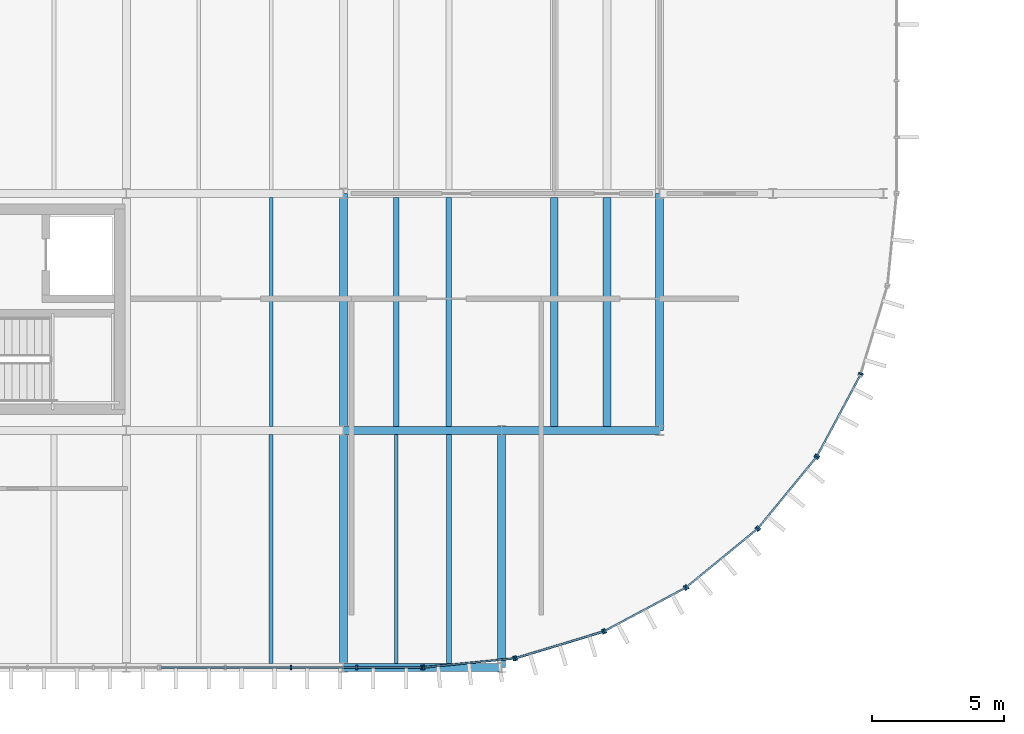
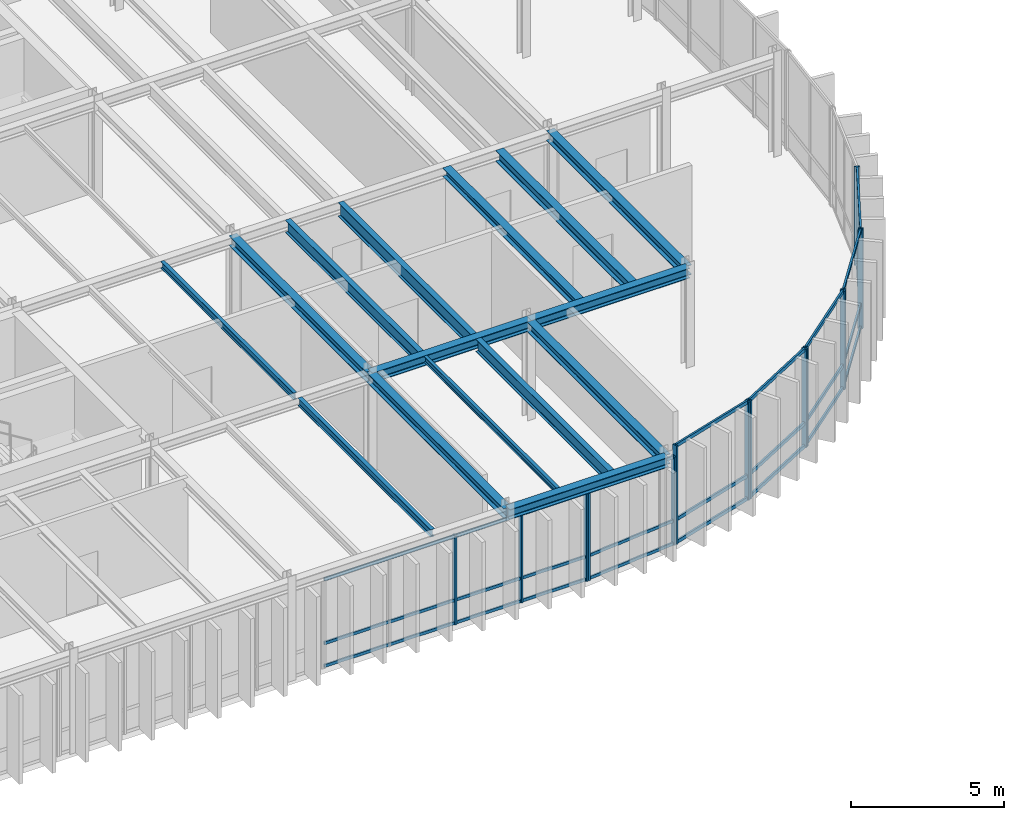
# One storey, part 12 of 31: 36 members, 15 beams, 8 elements without a shape of their own.
"""IFC4 building model written with IfcOpenShell, lengths in metres."""

from ifc_helpers import new_model, si_unit, direction, frame, origin, origin_2d, place, context, subcontext, project, spatial, rectangle, i_section, extrude, material, layer, layer_set, material_profile, profile_set, type_object, element, aggregate, save


model = new_model("IFC4")

# Units and contexts
model_context = context("Model", 3, precision=1e-05, world=origin(), true_north=direction((0.0, 1.0)))
body_context = subcontext(model_context, "Body", "Model", "MODEL_VIEW")
ifc_project = project(units=[si_unit("LENGTHUNIT", "METRE"), si_unit("AREAUNIT", "SQUARE_METRE"), si_unit("VOLUMEUNIT", "CUBIC_METRE"), si_unit("PLANEANGLEUNIT", "RADIAN"), si_unit("MASSUNIT", "GRAM", prefix="KILO")], contexts=[model_context])

# Site, building, storey
site_placement = place(None, origin())
site = spatial("IfcSite", under=ifc_project, at=site_placement, CompositionType="ELEMENT")
building_placement = place(site_placement, origin())
building = spatial("IfcBuilding", under=site, at=building_placement, Name="Montealbar Specialist Clinic", CompositionType="ELEMENT")
storey_placement = place(building_placement, frame((0.0, 0.0, 13.800048828125)))
storey = spatial("IfcBuildingStorey", under=building, at=storey_placement, Name="L03", CompositionType="ELEMENT", Elevation=13.800048828125)

# Beams
ifc_material_1 = material(Name="Steel S355", Category="steel")
ifc_material_profile_1 = material_profile(ifc_material_1, i_section(OverallWidth=0.300048828125, OverallDepth=0.39990234375, WebThickness=0.013427734375, FlangeThickness=0.02392578125, FilletRadius=0.027099609375, at=origin_2d()), Name="HEB 400", Category="steel")
ifc_profile_set_1 = profile_set([ifc_material_profile_1], Name="Steel S355")
beam_type_1 = type_object("IfcBeamType", Name="BM-GIRD-HEB400", PredefinedType="BEAM", material=ifc_profile_set_1)
for number, where, z_axis, x_axis, name in (
    (1, (99.0, 9.0, 3.739990234375), (1.0, 0.0, 0.0), (0.0, 1.0, 0.0), "Beam GX-L03-990-1050-90"),
    (2, (105.0, 9.0, 3.739990234375), (1.0, 0.0, 0.0), (0.0, 1.0, 0.0), "Beam GX-L03-1050-1110-90"),
):
    element("IfcBeam", number, at=place(storey_placement, frame(where, z_axis=z_axis, x_axis=x_axis)), inside=storey, type_object=beam_type_1, Name=name, PredefinedType="BEAM", context=body_context, shape_type="SweptSolid", body=[
        extrude(i_section(OverallWidth=0.300048828125, OverallDepth=0.39990234375, WebThickness=0.013427734375, FlangeThickness=0.02392578125, FilletRadius=0.027099609375, at=origin_2d()), origin(), (0.0, 0.0, 1.0), 6.0),
    ])
for number, where, z_axis, x_axis, name in (
    (3, (99.0, 0.0, 3.739990234375), (0.0, 1.0, 0.0), (-1.0, 0.0, 0.0), "Beam GY-L03-990-0-90"),
    (4, (99.0, 9.0, 3.739990234375), (0.0, 1.0, 0.0), (-1.0, 0.0, 0.0), "Beam GY-L03-990-90-180"),
    (5, (105.0, 0.0, 3.739990234375), (0.0, 1.0, 0.0), (-1.0, 0.0, 0.0), "Beam GY-L03-1050-0-90"),
    (6, (111.0, 9.0, 3.739990234375), (0.0, 1.0, 0.0), (-1.0, 0.0, 0.0), "Beam GY-L03-1110-90-180"),
):
    element("IfcBeam", number, at=place(storey_placement, frame(where, z_axis=z_axis, x_axis=x_axis)), inside=storey, type_object=beam_type_1, Name=name, PredefinedType="BEAM", context=body_context, shape_type="SweptSolid", body=[
        extrude(i_section(OverallWidth=0.300048828125, OverallDepth=0.39990234375, WebThickness=0.013427734375, FlangeThickness=0.02392578125, FilletRadius=0.027099609375, at=origin_2d()), origin(), (0.0, 0.0, 1.0), 9.0),
    ])
ifc_material_profile_2 = material_profile(ifc_material_1, i_section(OverallWidth=0.300048828125, OverallDepth=0.39990234375, WebThickness=0.013427734375, FlangeThickness=0.02392578125, FilletRadius=0.027099609375, at=origin_2d()), Name="HEB 400", Category="steel")
ifc_profile_set_2 = profile_set([ifc_material_profile_2], Name="Steel S355")
beam_type_2 = type_object("IfcBeamType", Name="BM-GIRD-HEB400-EXT", PredefinedType="BEAM", material=ifc_profile_set_2)
beam_1_placement = place(storey_placement, frame((99.0, 0.0, 3.739990234375), z_axis=(1.0, 0.0, 0.0), x_axis=(0.0, 1.0, 0.0)))
element("IfcBeam", 7, at=beam_1_placement, inside=storey, type_object=beam_type_2, Name="Beam GX-L03-990-1050-0", PredefinedType="BEAM", context=body_context, shape_type="SweptSolid", body=[
    extrude(i_section(OverallWidth=0.300048828125, OverallDepth=0.39990234375, WebThickness=0.013427734375, FlangeThickness=0.02392578125, FilletRadius=0.027099609375, at=origin_2d()), origin(), (0.0, 0.0, 1.0), 6.0),
])
ifc_material_profile_3 = material_profile(ifc_material_1, i_section(OverallWidth=0.300048828125, OverallDepth=0.35009765625, WebThickness=0.010009765625, FlangeThickness=0.017578125, FilletRadius=0.027099609375, at=origin_2d()), Name="HEA 360", Category="steel")
ifc_profile_set_3 = profile_set([ifc_material_profile_3], Name="Steel S355")
beam_type_3 = type_object("IfcBeamType", Name="BM-JST-HEA360", PredefinedType="JOIST", material=ifc_profile_set_3)
beam_2_placement = place(storey_placement, frame((107.0, 9.14990234375, 3.764892578125), z_axis=(0.0, 1.0, 0.0), x_axis=(-1.0, 0.0, 0.0)))
element("IfcBeam", 8, at=beam_2_placement, inside=storey, type_object=beam_type_3, Name="Beam JST-L03-1070-92-178", PredefinedType="JOIST", context=body_context, shape_type="SweptSolid", body=[
    extrude(i_section(OverallWidth=0.300048828125, OverallDepth=0.35009765625, WebThickness=0.010009765625, FlangeThickness=0.017578125, FilletRadius=0.027099609375, at=origin_2d()), origin(), (0.0, 0.0, 1.0), 8.7001953125),
])
ifc_material_profile_4 = material_profile(ifc_material_1, i_section(OverallWidth=0.300048828125, OverallDepth=0.43994140625, WebThickness=0.011474609375, FlangeThickness=0.02099609375, FilletRadius=0.027099609375, at=origin_2d()), Name="HEA 450", Category="steel")
ifc_profile_set_4 = profile_set([ifc_material_profile_4], Name="Steel S355")
beam_type_4 = type_object("IfcBeamType", Name="BM-JST-HEA450", PredefinedType="JOIST", material=ifc_profile_set_4)
beam_3_placement = place(storey_placement, frame((109.0, 9.14990234375, 3.719970703125), z_axis=(0.0, 1.0, 0.0), x_axis=(-1.0, 0.0, 0.0)))
element("IfcBeam", 9, at=beam_3_placement, inside=storey, type_object=beam_type_4, Name="Beam JST-L03-1090-92-178", PredefinedType="JOIST", context=body_context, shape_type="SweptSolid", body=[
    extrude(i_section(OverallWidth=0.300048828125, OverallDepth=0.43994140625, WebThickness=0.011474609375, FlangeThickness=0.02099609375, FilletRadius=0.027099609375, at=origin_2d()), origin(), (0.0, 0.0, 1.0), 8.7001953125),
])
ifc_material_profile_5 = material_profile(ifc_material_1, i_section(OverallWidth=0.1201171875, OverallDepth=0.239990234375, WebThickness=0.006103515625, FlangeThickness=0.009765625, FilletRadius=0.014892578125, at=origin_2d()), Name="IPE 240", Category="steel")
ifc_profile_set_5 = profile_set([ifc_material_profile_5], Name="Steel S355")
beam_type_5 = type_object("IfcBeamType", Name="BM-JST-IPE240", PredefinedType="JOIST", material=ifc_profile_set_5)
beam_4_placement = place(storey_placement, frame((101.0, 0.14990234375, 3.820068359375), z_axis=(0.0, 1.0, 0.0), x_axis=(-1.0, 0.0, 0.0)))
element("IfcBeam", 10, at=beam_4_placement, inside=storey, type_object=beam_type_5, Name="Beam JST-L03-1010-2-88", PredefinedType="JOIST", context=body_context, shape_type="SweptSolid", body=[
    extrude(i_section(OverallWidth=0.1201171875, OverallDepth=0.239990234375, WebThickness=0.006103515625, FlangeThickness=0.009765625, FilletRadius=0.014892578125, at=origin_2d()), origin(), (0.0, 0.0, 1.0), 8.7001953125),
])
ifc_material_profile_6 = material_profile(ifc_material_1, i_section(OverallWidth=0.135009765625, OverallDepth=0.27001953125, WebThickness=0.006591796875, FlangeThickness=0.01025390625, FilletRadius=0.014892578125, at=origin_2d()), Name="IPE 270", Category="steel")
ifc_profile_set_6 = profile_set([ifc_material_profile_6], Name="Steel S355")
beam_type_6 = type_object("IfcBeamType", Name="BM-JST-IPE270", PredefinedType="JOIST", material=ifc_profile_set_6)
beam_5_placement = place(storey_placement, frame((96.25, 9.14990234375, 3.804931640625), z_axis=(0.0, 1.0, 0.0), x_axis=(-1.0, 0.0, 0.0)))
element("IfcBeam", 11, at=beam_5_placement, inside=storey, type_object=beam_type_6, Name="Beam JST-L03-962-92-178", PredefinedType="JOIST", context=body_context, shape_type="SweptSolid", body=[
    extrude(i_section(OverallWidth=0.135009765625, OverallDepth=0.27001953125, WebThickness=0.006591796875, FlangeThickness=0.01025390625, FilletRadius=0.014892578125, at=origin_2d()), origin(), (0.0, 0.0, 1.0), 8.7001953125),
])
ifc_material_profile_7 = material_profile(ifc_material_1, i_section(OverallWidth=0.14990234375, OverallDepth=0.300048828125, WebThickness=0.007080078125, FlangeThickness=0.0107421875, FilletRadius=0.014892578125, at=origin_2d()), Name="IPE 300", Category="steel")
ifc_profile_set_7 = profile_set([ifc_material_profile_7], Name="Steel S355")
beam_type_7 = type_object("IfcBeamType", Name="BM-JST-IPE300", PredefinedType="JOIST", material=ifc_profile_set_7)
beam_6_placement = place(storey_placement, frame((96.25, 0.14990234375, 3.7900390625), z_axis=(0.0, 1.0, 0.0), x_axis=(-1.0, 0.0, 0.0)))
element("IfcBeam", 12, at=beam_6_placement, inside=storey, type_object=beam_type_7, Name="Beam JST-L03-962-2-88", PredefinedType="JOIST", context=body_context, shape_type="SweptSolid", body=[
    extrude(i_section(OverallWidth=0.14990234375, OverallDepth=0.300048828125, WebThickness=0.007080078125, FlangeThickness=0.0107421875, FilletRadius=0.014892578125, at=origin_2d()), origin(), (0.0, 0.0, 1.0), 8.7001953125),
])
ifc_material_profile_8 = material_profile(ifc_material_1, i_section(OverallWidth=0.199951171875, OverallDepth=0.5, WebThickness=0.01025390625, FlangeThickness=0.01611328125, FilletRadius=0.02099609375, at=origin_2d()), Name="IPE 500", Category="steel")
ifc_profile_set_8 = profile_set([ifc_material_profile_8], Name="Steel S355")
beam_type_8 = type_object("IfcBeamType", Name="BM-JST-IPE500", PredefinedType="JOIST", material=ifc_profile_set_8)
for number, where, z_axis, x_axis, name in (
    (13, (103.0, 0.14990234375, 3.68994140625), (0.0, 1.0, 0.0), (-1.0, 0.0, 0.0), "Beam JST-L03-1030-2-88"),
    (14, (101.0, 9.14990234375, 3.68994140625), (0.0, 1.0, 0.0), (-1.0, 0.0, 0.0), "Beam JST-L03-1010-92-178"),
):
    element("IfcBeam", number, at=place(storey_placement, frame(where, z_axis=z_axis, x_axis=x_axis)), inside=storey, type_object=beam_type_8, Name=name, PredefinedType="JOIST", context=body_context, shape_type="SweptSolid", body=[
        extrude(i_section(OverallWidth=0.199951171875, OverallDepth=0.5, WebThickness=0.01025390625, FlangeThickness=0.01611328125, FilletRadius=0.02099609375, at=origin_2d()), origin(), (0.0, 0.0, 1.0), 8.7001953125),
    ])
ifc_material_profile_9 = material_profile(ifc_material_1, i_section(OverallWidth=0.2099609375, OverallDepth=0.550048828125, WebThickness=0.010986328125, FlangeThickness=0.01708984375, FilletRadius=0.02392578125, at=origin_2d()), Name="IPE 550", Category="steel")
ifc_profile_set_9 = profile_set([ifc_material_profile_9], Name="Steel S355")
beam_type_9 = type_object("IfcBeamType", Name="BM-JST-IPE550", PredefinedType="JOIST", material=ifc_profile_set_9)
beam_7_placement = place(storey_placement, frame((103.0, 9.14990234375, 3.6650390625), z_axis=(0.0, 1.0, 0.0), x_axis=(-1.0, 0.0, 0.0)))
element("IfcBeam", 15, at=beam_7_placement, inside=storey, type_object=beam_type_9, Name="Beam JST-L03-1030-92-178", PredefinedType="JOIST", context=body_context, shape_type="SweptSolid", body=[
    extrude(i_section(OverallWidth=0.2099609375, OverallDepth=0.550048828125, WebThickness=0.010986328125, FlangeThickness=0.01708984375, FilletRadius=0.02392578125, at=origin_2d()), origin(), (0.0, 0.0, 1.0), 8.7001953125),
])

# Curtain wall, member
ifc_material_2 = material(Name="Low-E double glazing", Category="glass")
ifc_layer_1 = layer(ifc_material_2, 0.199951171875, Name="Low-E double glazing", Category="glass")
ifc_layer_set_1 = layer_set([ifc_layer_1], Name="Low-E double glazing")
curtain_wall_type_1 = type_object("IfcCurtainWallType", Name="CW-TYPE-19", PredefinedType="NOTDEFINED", material=ifc_layer_set_1)
curtain_wall_1_placement = place(storey_placement, origin())
curtain_wall_1 = element("IfcCurtainWall", 16, at=curtain_wall_1_placement, inside=storey, type_object=curtain_wall_type_1, Name="Unitised Curtain Wall CW-L03-1197-145-1186-111-138", PredefinedType="NOTDEFINED")
ifc_material_3 = material(Name="Anodised aluminium EN AW-6063", Category="aluminium")
ifc_material_profile_10 = material_profile(ifc_material_3, rectangle(XDim=0.070068359375, YDim=0.179931640625, at=origin_2d()), Name="ALU 70x180", Category="aluminium")
ifc_profile_set_10 = profile_set([ifc_material_profile_10], Name="Anodised aluminium EN AW-6063")
member_type_1 = type_object("IfcMemberType", Name="CW-MUL-200", PredefinedType="MULLION", material=ifc_profile_set_10)
member_1_placement = place(storey_placement, frame((118.64208984375, 11.14990234375, 0.0), z_axis=(0.0, 0.0, 1.0), x_axis=(-0.290259134399, -0.956948083701, 0.0)))
member_1 = element("IfcMember", 17, at=member_1_placement, type_object=member_type_1, Name="Curtain Wall Mullion CW-L03-1197-145-1186-111-138-01", PredefinedType="MULLION", context=body_context, shape_type="SweptSolid", body=[
    extrude(rectangle(XDim=0.070068359375, YDim=0.179931640625, at=origin_2d()), origin(), (0.0, 0.0, 1.0), 3.93994140625),
])
aggregate(curtain_wall_1, [member_1])

curtain_wall_2_placement = place(storey_placement, origin())
curtain_wall_2 = element("IfcCurtainWall", 18, at=curtain_wall_2_placement, inside=storey, type_object=curtain_wall_type_1, Name="Unitised Curtain Wall CW-L03-1186-111-1170-80-138", PredefinedType="NOTDEFINED")
member_2_placement = place(storey_placement, frame((116.985107421875, 8.034912109375, 0.0), z_axis=(0.0, 0.0, 1.0), x_axis=(-0.471529268958, -0.881850411644, 0.0)))
member_2 = element("IfcMember", 19, at=member_2_placement, type_object=member_type_1, Name="Curtain Wall Mullion CW-L03-1186-111-1170-80-138-01", PredefinedType="MULLION", context=body_context, shape_type="SweptSolid", body=[
    extrude(rectangle(XDim=0.070068359375, YDim=0.179931640625, at=origin_2d()), origin(), (0.0, 0.0, 1.0), 3.93994140625),
])

# Curtain wall, members
curtain_wall_3_placement = place(storey_placement, origin())
curtain_wall_3 = element("IfcCurtainWall", 20, at=curtain_wall_3_placement, inside=storey, type_object=curtain_wall_type_1, Name="Unitised Curtain Wall CW-L03-1170-80-1147-53-138", PredefinedType="NOTDEFINED")
member_3_placement = place(storey_placement, frame((116.94091796875, 7.968994140625, 0.0), z_axis=(0.0, 0.0, 1.0), x_axis=(-0.634255808922, -0.773123255923, 0.0)))
member_3 = element("IfcMember", 21, at=member_3_placement, type_object=member_type_1, Name="Curtain Wall Mullion CW-L03-1170-80-1147-53-138-00", PredefinedType="MULLION", context=body_context, shape_type="SweptSolid", body=[
    extrude(rectangle(XDim=0.070068359375, YDim=0.179931640625, at=origin_2d()), origin(), (0.0, 0.0, 1.0), 3.93994140625),
])
member_4_placement = place(storey_placement, frame((114.7529296875, 5.302978515625, 0.0), z_axis=(0.0, 0.0, 1.0), x_axis=(-0.634255808922, -0.773123255923, 0.0)))
member_4 = element("IfcMember", 22, at=member_4_placement, type_object=member_type_1, Name="Curtain Wall Mullion CW-L03-1170-80-1147-53-138-01", PredefinedType="MULLION", context=body_context, shape_type="SweptSolid", body=[
    extrude(rectangle(XDim=0.070068359375, YDim=0.179931640625, at=origin_2d()), origin(), (0.0, 0.0, 1.0), 3.93994140625),
])

curtain_wall_4_placement = place(storey_placement, origin())
curtain_wall_4 = element("IfcCurtainWall", 23, at=curtain_wall_4_placement, inside=storey, type_object=curtain_wall_type_1, Name="Unitised Curtain Wall CW-L03-1147-53-1120-30-138", PredefinedType="NOTDEFINED")
member_5_placement = place(storey_placement, frame((114.697021484375, 5.2470703125, 0.0), z_axis=(0.0, 0.0, 1.0), x_axis=(-0.773123255923, -0.634255808922, 0.0)))
member_5 = element("IfcMember", 24, at=member_5_placement, type_object=member_type_1, Name="Curtain Wall Mullion CW-L03-1147-53-1120-30-138-00", PredefinedType="MULLION", context=body_context, shape_type="SweptSolid", body=[
    extrude(rectangle(XDim=0.070068359375, YDim=0.179931640625, at=origin_2d()), origin(), (0.0, 0.0, 1.0), 3.93994140625),
])
member_6_placement = place(storey_placement, frame((112.031005859375, 3.05908203125, 0.0), z_axis=(0.0, 0.0, 1.0), x_axis=(-0.773123255923, -0.634255808922, 0.0)))
member_6 = element("IfcMember", 25, at=member_6_placement, type_object=member_type_1, Name="Curtain Wall Mullion CW-L03-1147-53-1120-30-138-01", PredefinedType="MULLION", context=body_context, shape_type="SweptSolid", body=[
    extrude(rectangle(XDim=0.070068359375, YDim=0.179931640625, at=origin_2d()), origin(), (0.0, 0.0, 1.0), 3.93994140625),
])

curtain_wall_5_placement = place(storey_placement, origin())
curtain_wall_5 = element("IfcCurtainWall", 26, at=curtain_wall_5_placement, inside=storey, type_object=curtain_wall_type_1, Name="Unitised Curtain Wall CW-L03-1120-30-1089-14-138", PredefinedType="NOTDEFINED")
member_7_placement = place(storey_placement, frame((111.965087890625, 3.014892578125, 0.0), z_axis=(0.0, 0.0, 1.0), x_axis=(-0.881850411644, -0.471529268958, 0.0)))
member_7 = element("IfcMember", 27, at=member_7_placement, type_object=member_type_1, Name="Curtain Wall Mullion CW-L03-1120-30-1089-14-138-00", PredefinedType="MULLION", context=body_context, shape_type="SweptSolid", body=[
    extrude(rectangle(XDim=0.070068359375, YDim=0.179931640625, at=origin_2d()), origin(), (0.0, 0.0, 1.0), 3.93994140625),
])
member_8_placement = place(storey_placement, frame((108.923095703125, 1.388916015625, 0.0), z_axis=(0.0, 0.0, 1.0), x_axis=(-0.881850411644, -0.471529268958, 0.0)))
member_8 = element("IfcMember", 28, at=member_8_placement, type_object=member_type_1, Name="Curtain Wall Mullion CW-L03-1120-30-1089-14-138-01", PredefinedType="MULLION", context=body_context, shape_type="SweptSolid", body=[
    extrude(rectangle(XDim=0.070068359375, YDim=0.179931640625, at=origin_2d()), origin(), (0.0, 0.0, 1.0), 3.93994140625),
])

curtain_wall_6_placement = place(storey_placement, origin())
curtain_wall_6 = element("IfcCurtainWall", 29, at=curtain_wall_6_placement, inside=storey, type_object=curtain_wall_type_1, Name="Unitised Curtain Wall CW-L03-1089-14-1055-3-138", PredefinedType="NOTDEFINED")
member_9_placement = place(storey_placement, frame((108.85009765625, 1.35791015625, 0.0), z_axis=(0.0, 0.0, 1.0), x_axis=(-0.956948083701, -0.290259134399, 0.0)))
member_9 = element("IfcMember", 30, at=member_9_placement, type_object=member_type_1, Name="Curtain Wall Mullion CW-L03-1089-14-1055-3-138-00", PredefinedType="MULLION", context=body_context, shape_type="SweptSolid", body=[
    extrude(rectangle(XDim=0.070068359375, YDim=0.179931640625, at=origin_2d()), origin(), (0.0, 0.0, 1.0), 3.93994140625),
])
member_10_placement = place(storey_placement, frame((105.550048828125, 0.35791015625, 0.0), z_axis=(0.0, 0.0, 1.0), x_axis=(-0.956948083701, -0.290259134399, 0.0)))
member_10 = element("IfcMember", 31, at=member_10_placement, type_object=member_type_1, Name="Curtain Wall Mullion CW-L03-1089-14-1055-3-138-01", PredefinedType="MULLION", context=body_context, shape_type="SweptSolid", body=[
    extrude(rectangle(XDim=0.070068359375, YDim=0.179931640625, at=origin_2d()), origin(), (0.0, 0.0, 1.0), 3.93994140625),
])

ifc_layer_2 = layer(ifc_material_2, 0.199951171875, Name="Low-E double glazing", Category="glass")
ifc_layer_set_2 = layer_set([ifc_layer_2], Name="Low-E double glazing")
curtain_wall_type_2 = type_object("IfcCurtainWallType", Name="CW-TYPE-18", PredefinedType="NOTDEFINED", material=ifc_layer_set_2)
curtain_wall_7_placement = place(storey_placement, origin())
curtain_wall_7 = element("IfcCurtainWall", 32, at=curtain_wall_7_placement, inside=storey, type_object=curtain_wall_type_2, Name="Unitised Curtain Wall CW-L03-1055-3-1020-0-138", PredefinedType="NOTDEFINED")
member_11_placement = place(storey_placement, frame((105.471923828125, 0.342041015625, 0.0), z_axis=(0.0, 0.0, 1.0), x_axis=(-0.995182012183, -0.098044697094, 0.0)))
member_11 = element("IfcMember", 33, at=member_11_placement, type_object=member_type_1, Name="Curtain Wall Mullion CW-L03-1055-3-1020-0-138-00", PredefinedType="MULLION", context=body_context, shape_type="SweptSolid", body=[
    extrude(rectangle(XDim=0.070068359375, YDim=0.179931640625, at=origin_2d()), origin(), (0.0, 0.0, 1.0), 3.5400390625),
])
member_12_placement = place(storey_placement, frame((102.0400390625, 0.00390625, 0.0), z_axis=(0.0, 0.0, 1.0), x_axis=(-0.995182012183, -0.098044697094, 0.0)))
member_12 = element("IfcMember", 34, at=member_12_placement, type_object=member_type_1, Name="Curtain Wall Mullion CW-L03-1055-3-1020-0-138-01", PredefinedType="MULLION", context=body_context, shape_type="SweptSolid", body=[
    extrude(rectangle(XDim=0.070068359375, YDim=0.179931640625, at=origin_2d()), origin(), (0.0, 0.0, 1.0), 3.5400390625),
])

ifc_layer_3 = layer(ifc_material_2, 0.199951171875, Name="Low-E double glazing", Category="glass")
ifc_layer_set_3 = layer_set([ifc_layer_3], Name="Low-E double glazing")
curtain_wall_type_3 = type_object("IfcCurtainWallType", Name="CW-TYPE-22", PredefinedType="NOTDEFINED", material=ifc_layer_set_3)
curtain_wall_8_placement = place(storey_placement, origin())
curtain_wall_8 = element("IfcCurtainWall", 35, at=curtain_wall_8_placement, inside=storey, type_object=curtain_wall_type_3, Name="Unitised Curtain Wall CW-L03-1020-0-920-0-138", PredefinedType="NOTDEFINED")
member_13_placement = place(storey_placement, frame((101.9599609375, 0.0, 0.0), z_axis=(0.0, 0.0, 1.0), x_axis=(-1.0, 0.0, 0.0)))
member_13 = element("IfcMember", 36, at=member_13_placement, type_object=member_type_1, Name="Curtain Wall Mullion CW-L03-1020-0-920-0-138-00", PredefinedType="MULLION", context=body_context, shape_type="SweptSolid", body=[
    extrude(rectangle(XDim=0.070068359375, YDim=0.179931640625, at=origin_2d()), origin(), (0.0, 0.0, 1.0), 3.5400390625),
])
member_14_placement = place(storey_placement, frame((99.5, 0.0, 0.0), z_axis=(0.0, 0.0, 1.0), x_axis=(-1.0, 0.0, 0.0)))
member_14 = element("IfcMember", 37, at=member_14_placement, type_object=member_type_1, Name="Curtain Wall Mullion CW-L03-1020-0-920-0-138-01", PredefinedType="MULLION", context=body_context, shape_type="SweptSolid", body=[
    extrude(rectangle(XDim=0.070068359375, YDim=0.179931640625, at=origin_2d()), origin(), (0.0, 0.0, 1.0), 3.5400390625),
])
member_15_placement = place(storey_placement, frame((97.0, 0.0, 0.0), z_axis=(0.0, 0.0, 1.0), x_axis=(-1.0, 0.0, 0.0)))
member_15 = element("IfcMember", 38, at=member_15_placement, type_object=member_type_1, Name="Curtain Wall Mullion CW-L03-1020-0-920-0-138-02", PredefinedType="MULLION", context=body_context, shape_type="SweptSolid", body=[
    extrude(rectangle(XDim=0.070068359375, YDim=0.179931640625, at=origin_2d()), origin(), (0.0, 0.0, 1.0), 3.5400390625),
])

# Member
ifc_material_4 = material(Name="Powder-coated aluminium", Category="aluminium")
ifc_material_profile_11 = material_profile(ifc_material_4, rectangle(XDim=0.06005859375, YDim=0.1201171875, at=origin_2d()), Name="ALU 60x120", Category="aluminium")
ifc_profile_set_11 = profile_set([ifc_material_profile_11], Name="Powder-coated aluminium")
member_type_2 = type_object("IfcMemberType", Name="CW-TRN-120", PredefinedType="USERDEFINED", material=ifc_profile_set_11)
member_16_placement = place(storey_placement, frame((105.4619140625, 0.341064453125, 0.0400390625), z_axis=(-0.995180678623, -0.098058232162, 0.0), x_axis=(0.098058232162, -0.995180678623, 0.0)))
member_16 = element("IfcMember", 39, at=member_16_placement, type_object=member_type_2, Name="Curtain Wall Transom CW-L03-1055-3-1020-0-138-00", ObjectType="TRANSOM", PredefinedType="USERDEFINED", context=body_context, shape_type="SweptSolid", body=[
    extrude(rectangle(XDim=0.06005859375, YDim=0.1201171875, at=origin_2d()), origin(), (0.0, 0.0, 1.0), 3.428466796875),
])

member_17_placement = place(storey_placement, frame((105.4619140625, 0.341064453125, 0.949951171875), z_axis=(-0.995180678623, -0.098058232162, 0.0), x_axis=(0.098058232162, -0.995180678623, 0.0)))
member_17 = element("IfcMember", 40, at=member_17_placement, type_object=member_type_2, Name="Curtain Wall Transom CW-L03-1055-3-1020-0-138-01", ObjectType="TRANSOM", PredefinedType="USERDEFINED", context=body_context, shape_type="SweptSolid", body=[
    extrude(rectangle(XDim=0.06005859375, YDim=0.1201171875, at=origin_2d()), origin(), (0.0, 0.0, 1.0), 3.428466796875),
])

member_18_placement = place(storey_placement, frame((105.4619140625, 0.341064453125, 3.5), z_axis=(-0.995180678623, -0.098058232162, 0.0), x_axis=(0.098058232162, -0.995180678623, 0.0)))
member_18 = element("IfcMember", 41, at=member_18_placement, type_object=member_type_2, Name="Curtain Wall Transom CW-L03-1055-3-1020-0-138-02", ObjectType="TRANSOM", PredefinedType="USERDEFINED", context=body_context, shape_type="SweptSolid", body=[
    extrude(rectangle(XDim=0.06005859375, YDim=0.1201171875, at=origin_2d()), origin(), (0.0, 0.0, 1.0), 3.428466796875),
])

aggregate(curtain_wall_7, [member_11, member_12, member_16, member_17, member_18])

member_19_placement = place(storey_placement, frame((101.949951171875, 0.0, 0.0400390625), z_axis=(-1.0, 0.0, 0.0), x_axis=(0.0, -1.0, 0.0)))
member_19 = element("IfcMember", 42, at=member_19_placement, type_object=member_type_2, Name="Curtain Wall Transom CW-L03-1020-0-920-0-138-00", ObjectType="TRANSOM", PredefinedType="USERDEFINED", context=body_context, shape_type="SweptSolid", body=[
    extrude(rectangle(XDim=0.06005859375, YDim=0.1201171875, at=origin_2d()), origin(), (0.0, 0.0, 1.0), 9.89990234375),
])

member_20_placement = place(storey_placement, frame((101.949951171875, 0.0, 0.949951171875), z_axis=(-1.0, 0.0, 0.0), x_axis=(0.0, -1.0, 0.0)))
member_20 = element("IfcMember", 43, at=member_20_placement, type_object=member_type_2, Name="Curtain Wall Transom CW-L03-1020-0-920-0-138-01", ObjectType="TRANSOM", PredefinedType="USERDEFINED", context=body_context, shape_type="SweptSolid", body=[
    extrude(rectangle(XDim=0.06005859375, YDim=0.1201171875, at=origin_2d()), origin(), (0.0, 0.0, 1.0), 9.89990234375),
])

member_21_placement = place(storey_placement, frame((101.949951171875, 0.0, 3.5), z_axis=(-1.0, 0.0, 0.0), x_axis=(0.0, -1.0, 0.0)))
member_21 = element("IfcMember", 44, at=member_21_placement, type_object=member_type_2, Name="Curtain Wall Transom CW-L03-1020-0-920-0-138-02", ObjectType="TRANSOM", PredefinedType="USERDEFINED", context=body_context, shape_type="SweptSolid", body=[
    extrude(rectangle(XDim=0.06005859375, YDim=0.1201171875, at=origin_2d()), origin(), (0.0, 0.0, 1.0), 9.89990234375),
])

aggregate(curtain_wall_8, [member_13, member_14, member_15, member_19, member_20, member_21])

ifc_material_profile_12 = material_profile(ifc_material_4, rectangle(XDim=0.070068359375, YDim=0.139892578125, at=origin_2d()), Name="ALU 70x140", Category="aluminium")
ifc_profile_set_12 = profile_set([ifc_material_profile_12], Name="Powder-coated aluminium")
member_type_3 = type_object("IfcMemberType", Name="CW-TRN-140", PredefinedType="USERDEFINED", material=ifc_profile_set_12)
member_22_placement = place(storey_placement, frame((118.60595703125, 11.068115234375, 0.0400390625), z_axis=(-0.471286558069, -0.881980147273, 0.0), x_axis=(0.881980147273, -0.471286558069, 0.0)))
member_22 = element("IfcMember", 45, at=member_22_placement, type_object=member_type_3, Name="Curtain Wall Transom CW-L03-1186-111-1170-80-138-00", ObjectType="TRANSOM", PredefinedType="USERDEFINED", context=body_context, shape_type="SweptSolid", body=[
    extrude(rectangle(XDim=0.070068359375, YDim=0.139892578125, at=origin_2d()), origin(), (0.0, 0.0, 1.0), 3.428955078125),
])

member_23_placement = place(storey_placement, frame((118.60595703125, 11.068115234375, 0.949951171875), z_axis=(-0.471286558069, -0.881980147273, 0.0), x_axis=(0.881980147273, -0.471286558069, 0.0)))
member_23 = element("IfcMember", 46, at=member_23_placement, type_object=member_type_3, Name="Curtain Wall Transom CW-L03-1186-111-1170-80-138-01", ObjectType="TRANSOM", PredefinedType="USERDEFINED", context=body_context, shape_type="SweptSolid", body=[
    extrude(rectangle(XDim=0.070068359375, YDim=0.139892578125, at=origin_2d()), origin(), (0.0, 0.0, 1.0), 3.428955078125),
])

member_24_placement = place(storey_placement, frame((118.60595703125, 11.068115234375, 3.89990234375), z_axis=(-0.471286558069, -0.881980147273, 0.0), x_axis=(0.881980147273, -0.471286558069, 0.0)))
member_24 = element("IfcMember", 47, at=member_24_placement, type_object=member_type_3, Name="Curtain Wall Transom CW-L03-1186-111-1170-80-138-02", ObjectType="TRANSOM", PredefinedType="USERDEFINED", context=body_context, shape_type="SweptSolid", body=[
    extrude(rectangle(XDim=0.070068359375, YDim=0.139892578125, at=origin_2d()), origin(), (0.0, 0.0, 1.0), 3.428955078125),
])

aggregate(curtain_wall_2, [member_2, member_22, member_23, member_24])

member_25_placement = place(storey_placement, frame((116.93408203125, 7.9609375, 0.0400390625), z_axis=(-0.634280591441, -0.773102924144, 0.0), x_axis=(0.773102924144, -0.634280591441, 0.0)))
member_25 = element("IfcMember", 48, at=member_25_placement, type_object=member_type_3, Name="Curtain Wall Transom CW-L03-1170-80-1147-53-138-00", ObjectType="TRANSOM", PredefinedType="USERDEFINED", context=body_context, shape_type="SweptSolid", body=[
    extrude(rectangle(XDim=0.070068359375, YDim=0.139892578125, at=origin_2d()), origin(), (0.0, 0.0, 1.0), 3.427734375),
])

member_26_placement = place(storey_placement, frame((116.93408203125, 7.9609375, 0.949951171875), z_axis=(-0.634280591441, -0.773102924144, 0.0), x_axis=(0.773102924144, -0.634280591441, 0.0)))
member_26 = element("IfcMember", 49, at=member_26_placement, type_object=member_type_3, Name="Curtain Wall Transom CW-L03-1170-80-1147-53-138-01", ObjectType="TRANSOM", PredefinedType="USERDEFINED", context=body_context, shape_type="SweptSolid", body=[
    extrude(rectangle(XDim=0.070068359375, YDim=0.139892578125, at=origin_2d()), origin(), (0.0, 0.0, 1.0), 3.427734375),
])

member_27_placement = place(storey_placement, frame((116.93408203125, 7.9609375, 3.89990234375), z_axis=(-0.634280591441, -0.773102924144, 0.0), x_axis=(0.773102924144, -0.634280591441, 0.0)))
member_27 = element("IfcMember", 50, at=member_27_placement, type_object=member_type_3, Name="Curtain Wall Transom CW-L03-1170-80-1147-53-138-02", ObjectType="TRANSOM", PredefinedType="USERDEFINED", context=body_context, shape_type="SweptSolid", body=[
    extrude(rectangle(XDim=0.070068359375, YDim=0.139892578125, at=origin_2d()), origin(), (0.0, 0.0, 1.0), 3.427734375),
])

aggregate(curtain_wall_3, [member_3, member_4, member_25, member_26, member_27])

member_28_placement = place(storey_placement, frame((114.68896484375, 5.239990234375, 0.0400390625), z_axis=(-0.773102924144, -0.634280591441, 0.0), x_axis=(0.634280591441, -0.773102924144, 0.0)))
member_28 = element("IfcMember", 51, at=member_28_placement, type_object=member_type_3, Name="Curtain Wall Transom CW-L03-1147-53-1120-30-138-00", ObjectType="TRANSOM", PredefinedType="USERDEFINED", context=body_context, shape_type="SweptSolid", body=[
    extrude(rectangle(XDim=0.070068359375, YDim=0.139892578125, at=origin_2d()), origin(), (0.0, 0.0, 1.0), 3.427734375),
])

member_29_placement = place(storey_placement, frame((114.68896484375, 5.239990234375, 0.949951171875), z_axis=(-0.773102924144, -0.634280591441, 0.0), x_axis=(0.634280591441, -0.773102924144, 0.0)))
member_29 = element("IfcMember", 52, at=member_29_placement, type_object=member_type_3, Name="Curtain Wall Transom CW-L03-1147-53-1120-30-138-01", ObjectType="TRANSOM", PredefinedType="USERDEFINED", context=body_context, shape_type="SweptSolid", body=[
    extrude(rectangle(XDim=0.070068359375, YDim=0.139892578125, at=origin_2d()), origin(), (0.0, 0.0, 1.0), 3.427734375),
])

member_30_placement = place(storey_placement, frame((114.68896484375, 5.239990234375, 3.89990234375), z_axis=(-0.773102924144, -0.634280591441, 0.0), x_axis=(0.634280591441, -0.773102924144, 0.0)))
member_30 = element("IfcMember", 53, at=member_30_placement, type_object=member_type_3, Name="Curtain Wall Transom CW-L03-1147-53-1120-30-138-02", ObjectType="TRANSOM", PredefinedType="USERDEFINED", context=body_context, shape_type="SweptSolid", body=[
    extrude(rectangle(XDim=0.070068359375, YDim=0.139892578125, at=origin_2d()), origin(), (0.0, 0.0, 1.0), 3.427734375),
])

aggregate(curtain_wall_4, [member_5, member_6, member_28, member_29, member_30])

member_31_placement = place(storey_placement, frame((111.9560546875, 3.010009765625, 0.0400390625), z_axis=(-0.881980147273, -0.471286558069, 0.0), x_axis=(0.471286558069, -0.881980147273, 0.0)))
member_31 = element("IfcMember", 54, at=member_31_placement, type_object=member_type_3, Name="Curtain Wall Transom CW-L03-1120-30-1089-14-138-00", ObjectType="TRANSOM", PredefinedType="USERDEFINED", context=body_context, shape_type="SweptSolid", body=[
    extrude(rectangle(XDim=0.070068359375, YDim=0.139892578125, at=origin_2d()), origin(), (0.0, 0.0, 1.0), 3.428955078125),
])

member_32_placement = place(storey_placement, frame((111.9560546875, 3.010009765625, 0.949951171875), z_axis=(-0.881980147273, -0.471286558069, 0.0), x_axis=(0.471286558069, -0.881980147273, 0.0)))
member_32 = element("IfcMember", 55, at=member_32_placement, type_object=member_type_3, Name="Curtain Wall Transom CW-L03-1120-30-1089-14-138-01", ObjectType="TRANSOM", PredefinedType="USERDEFINED", context=body_context, shape_type="SweptSolid", body=[
    extrude(rectangle(XDim=0.070068359375, YDim=0.139892578125, at=origin_2d()), origin(), (0.0, 0.0, 1.0), 3.428955078125),
])

member_33_placement = place(storey_placement, frame((111.9560546875, 3.010009765625, 3.89990234375), z_axis=(-0.881980147273, -0.471286558069, 0.0), x_axis=(0.471286558069, -0.881980147273, 0.0)))
member_33 = element("IfcMember", 56, at=member_33_placement, type_object=member_type_3, Name="Curtain Wall Transom CW-L03-1120-30-1089-14-138-02", ObjectType="TRANSOM", PredefinedType="USERDEFINED", context=body_context, shape_type="SweptSolid", body=[
    extrude(rectangle(XDim=0.070068359375, YDim=0.139892578125, at=origin_2d()), origin(), (0.0, 0.0, 1.0), 3.428955078125),
])

aggregate(curtain_wall_5, [member_7, member_8, member_31, member_32, member_33])

member_34_placement = place(storey_placement, frame((108.840087890625, 1.35498046875, 0.0400390625), z_axis=(-0.957028598092, -0.289993555849, 0.0), x_axis=(0.289993555849, -0.957028598092, 0.0)))
member_34 = element("IfcMember", 57, at=member_34_placement, type_object=member_type_3, Name="Curtain Wall Transom CW-L03-1089-14-1055-3-138-00", ObjectType="TRANSOM", PredefinedType="USERDEFINED", context=body_context, shape_type="SweptSolid", body=[
    extrude(rectangle(XDim=0.070068359375, YDim=0.139892578125, at=origin_2d()), origin(), (0.0, 0.0, 1.0), 3.42724609375),
])

member_35_placement = place(storey_placement, frame((108.840087890625, 1.35498046875, 0.949951171875), z_axis=(-0.957028598092, -0.289993555849, 0.0), x_axis=(0.289993555849, -0.957028598092, 0.0)))
member_35 = element("IfcMember", 58, at=member_35_placement, type_object=member_type_3, Name="Curtain Wall Transom CW-L03-1089-14-1055-3-138-01", ObjectType="TRANSOM", PredefinedType="USERDEFINED", context=body_context, shape_type="SweptSolid", body=[
    extrude(rectangle(XDim=0.070068359375, YDim=0.139892578125, at=origin_2d()), origin(), (0.0, 0.0, 1.0), 3.42724609375),
])

member_36_placement = place(storey_placement, frame((108.840087890625, 1.35498046875, 3.89990234375), z_axis=(-0.957028598092, -0.289993555849, 0.0), x_axis=(0.289993555849, -0.957028598092, 0.0)))
member_36 = element("IfcMember", 59, at=member_36_placement, type_object=member_type_3, Name="Curtain Wall Transom CW-L03-1089-14-1055-3-138-02", ObjectType="TRANSOM", PredefinedType="USERDEFINED", context=body_context, shape_type="SweptSolid", body=[
    extrude(rectangle(XDim=0.070068359375, YDim=0.139892578125, at=origin_2d()), origin(), (0.0, 0.0, 1.0), 3.42724609375),
])

aggregate(curtain_wall_6, [member_9, member_10, member_34, member_35, member_36])

save(model, "model.ifc")
